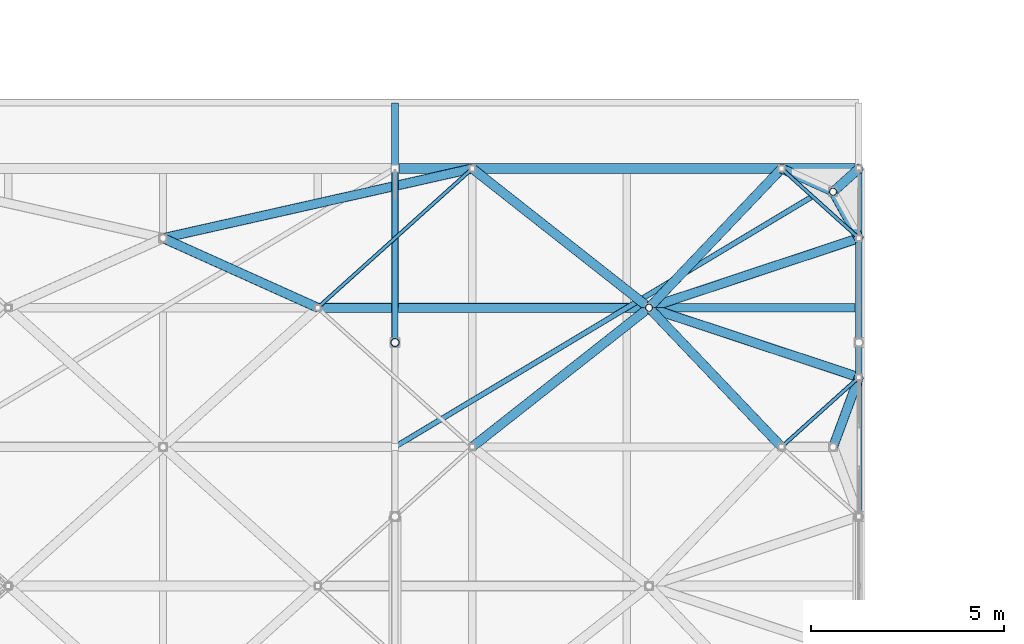
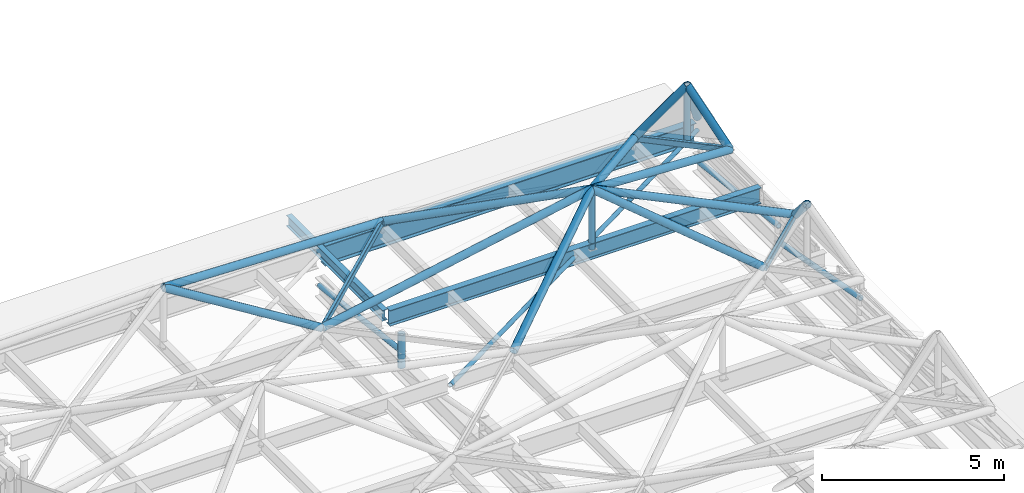
# One storey, part 143 of 239: 20 members, 6 beams.
"""IFC4 building model written with IfcOpenShell, lengths in metres."""

from ifc_helpers import new_model, si_unit, direction, frame, origin, origin_2d, place, context, subcontext, project, spatial, hollow_rectangle, hollow_circle, i_section, extrude, material, material_profile, profile_set, type_object, element, save


model = new_model("IFC4")

# Units and contexts
model_context = context("Model", 3, precision=1e-05, world=origin(), true_north=direction((0.0, 1.0)))
body_context = subcontext(model_context, "Body", "Model", "MODEL_VIEW")
ifc_project = project(units=[si_unit("LENGTHUNIT", "METRE"), si_unit("AREAUNIT", "SQUARE_METRE"), si_unit("VOLUMEUNIT", "CUBIC_METRE"), si_unit("PLANEANGLEUNIT", "RADIAN"), si_unit("MASSUNIT", "GRAM", prefix="KILO")], contexts=[model_context])

# Site, building, storey
site_placement = place(None, origin())
site = spatial("IfcSite", under=ifc_project, at=site_placement, CompositionType="ELEMENT")
building_placement = place(site_placement, origin())
building = spatial("IfcBuilding", under=site, at=building_placement, Name="Dunvalen Ferry Terminal", CompositionType="ELEMENT")
storey_placement = place(building_placement, frame((0.0, 0.0, 9.840087890625)))
storey = spatial("IfcBuildingStorey", under=building, at=storey_placement, Name="L02", CompositionType="ELEMENT", Elevation=9.840087890625)

# Beams
ifc_material = material(Name="Steel S355", Category="steel")
ifc_material_profile_1 = material_profile(ifc_material, i_section(OverallWidth=0.169921875, OverallDepth=0.360107421875, WebThickness=0.008056640625, FlangeThickness=0.0126953125, FilletRadius=0.01806640625, at=origin_2d()), Name="Steel S355")
ifc_profile_set_1 = profile_set([ifc_material_profile_1], Name="Steel S355")
beam_type_1 = type_object("IfcBeamType", Name="STR-BM-IPE360", PredefinedType="BEAM", material=ifc_profile_set_1)
beam_1_placement = place(storey_placement, frame((84.0, 82.800048828125, 0.81982421875), z_axis=(0.0, 1.0, 0.0), x_axis=(-1.0, 0.0, 0.0)))
element("IfcBeam", 1, at=beam_1_placement, inside=storey, type_object=beam_type_1, Name="Departure Hall North Eave Outrigger 13", PredefinedType="BEAM", context=body_context, shape_type="SweptSolid", body=[
    extrude(i_section(OverallWidth=0.169921875, OverallDepth=0.360107421875, WebThickness=0.008056640625, FlangeThickness=0.0126953125, FilletRadius=0.01806640625, at=origin_2d()), origin(), (0.0, 0.0, 1.0), 5.300048828125),
])
ifc_material_profile_2 = material_profile(ifc_material, hollow_rectangle(XDim=0.10009765625, YDim=0.199951171875, WallThickness=0.008056640625, InnerFilletRadius=0.008056640625, OuterFilletRadius=0.01611328125, at=origin_2d()), Name="Steel S355")
ifc_profile_set_2 = profile_set([ifc_material_profile_2], Name="Steel S355")
beam_type_2 = type_object("IfcBeamType", Name="STR-BM-RHS200", PredefinedType="BEAM", material=ifc_profile_set_2)
beam_2_placement = place(storey_placement, frame((82.0, 82.800048828125, 1.099853515625), z_axis=(0.74330768127, 0.668949692402, 0.0), x_axis=(-0.668949692402, 0.74330768127, 0.0)))
element("IfcBeam", 2, at=beam_2_placement, inside=storey, type_object=beam_type_2, Name="HEX-39 Hexagonal Rim Beam 3", PredefinedType="BEAM", context=body_context, shape_type="SweptSolid", body=[
    extrude(hollow_rectangle(XDim=0.10009765625, YDim=0.199951171875, WallThickness=0.008056640625, InnerFilletRadius=0.008056640625, OuterFilletRadius=0.01611328125, at=origin_2d()), origin(), (0.0, 0.0, 1.0), 5.38134765625),
])
for number, where, z_axis, x_axis, name in (
    (3, (94.0, 79.199951171875, 1.099853515625), (0.743285123004, 0.668974757313, 0.0), (-0.668974757313, 0.743285123004, 0.0), "HEX-44 Hexagonal Rim Beam 3"),
    (4, (96.0, 84.60009765625, 1.099853515625), (-0.74333024006, 0.66892462521, 0.0), (-0.66892462521, -0.74333024006, 0.0), "HEX-44 Hexagonal Rim Beam 5"),
):
    element("IfcBeam", number, at=place(storey_placement, frame(where, z_axis=z_axis, x_axis=x_axis)), inside=storey, type_object=beam_type_2, Name=name, PredefinedType="BEAM", context=body_context, shape_type="SweptSolid", body=[
        extrude(hollow_rectangle(XDim=0.10009765625, YDim=0.199951171875, WallThickness=0.008056640625, InnerFilletRadius=0.008056640625, OuterFilletRadius=0.01611328125, at=origin_2d()), origin(), (0.0, 0.0, 1.0), 2.690673828125),
    ])
ifc_material_profile_3 = material_profile(ifc_material, i_section(OverallWidth=0.209228515625, OverallDepth=0.533203125, WebThickness=0.010009765625, FlangeThickness=0.015625, FilletRadius=0.0126953125, at=origin_2d()), Name="Steel S355")
ifc_profile_set_3 = profile_set([ifc_material_profile_3], Name="Steel S355")
beam_type_3 = type_object("IfcBeamType", Name="STR-BM-UKB533", PredefinedType="BEAM", material=ifc_profile_set_3)
beam_3_placement = place(storey_placement, frame((84.10009765625, 82.800048828125, 0.7333984375), z_axis=(1.0, 0.0, 0.0), x_axis=(0.0, 1.0, 0.0)))
element("IfcBeam", 5, at=beam_3_placement, inside=storey, type_object=beam_type_3, Name="Departure Hall Spine Girder B7.10", PredefinedType="BEAM", context=body_context, shape_type="SweptSolid", body=[
    extrude(i_section(OverallWidth=0.209228515625, OverallDepth=0.533203125, WebThickness=0.010009765625, FlangeThickness=0.015625, FilletRadius=0.0126953125, at=origin_2d()), origin(), (0.0, 0.0, 1.0), 11.7998046875),
])
ifc_material_profile_4 = material_profile(ifc_material, i_section(OverallWidth=0.253662109375, OverallDepth=0.68359375, WebThickness=0.012451171875, FlangeThickness=0.01904296875, FilletRadius=0.01513671875, at=origin_2d()), Name="Steel S355")
ifc_profile_set_4 = profile_set([ifc_material_profile_4], Name="Steel S355")
beam_type_4 = type_object("IfcBeamType", Name="STR-BM-UKB686", PredefinedType="BEAM", material=ifc_profile_set_4)
beam_4_placement = place(storey_placement, frame((84.10009765625, 86.39990234375, 0.658203125), z_axis=(1.0, 0.0, 0.0), x_axis=(0.0, 1.0, 0.0)))
element("IfcBeam", 6, at=beam_4_placement, inside=storey, type_object=beam_type_4, Name="Departure Hall Spine Girder B7.11", PredefinedType="BEAM", context=body_context, shape_type="SweptSolid", body=[
    extrude(i_section(OverallWidth=0.253662109375, OverallDepth=0.68359375, WebThickness=0.012451171875, FlangeThickness=0.01904296875, FilletRadius=0.01513671875, at=origin_2d()), origin(), (0.0, 0.0, 1.0), 11.7998046875),
])

# Members
ifc_material_profile_5 = material_profile(ifc_material, hollow_circle(Radius=0.06982421875, WallThickness=0.00634765625, at=origin_2d()), Name="Steel S355")
ifc_profile_set_5 = profile_set([ifc_material_profile_5], Name="Steel S355")
member_type_1 = type_object("IfcMemberType", Name="STR-MB-CHS139", PredefinedType="BRACE", material=ifc_profile_set_5)
member_1_placement = place(storey_placement, frame((84.0, 79.199951171875, 0.659912109375), z_axis=(0.857494465041, 0.514493189871, 0.0), x_axis=(-0.514493189871, 0.857494465041, 0.0)))
element("IfcMember", 7, at=member_1_placement, inside=storey, type_object=member_type_1, Name="Departure Hall Roof Wind Brace 7A", PredefinedType="BRACE", context=body_context, shape_type="SweptSolid", body=[
    extrude(hollow_circle(Radius=0.06982421875, WallThickness=0.00634765625, at=origin_2d()), origin(), (0.0, 0.0, 1.0), 13.994140625),
])
ifc_material_profile_6 = material_profile(ifc_material, hollow_circle(Radius=0.084228515625, WallThickness=0.008056640625, at=origin_2d()), Name="Steel S355")
ifc_profile_set_6 = profile_set([ifc_material_profile_6], Name="Steel S355")
member_type_2 = type_object("IfcMemberType", Name="STR-MB-CHS168", PredefinedType="BRACE", material=ifc_profile_set_6)
member_2_placement = place(storey_placement, frame((84.0, 81.89990234375, 0.168701171875), z_axis=(0.0, 0.993166043245, -0.116709941931), x_axis=(-1.0, 0.0, 0.0)))
element("IfcMember", 8, at=member_2_placement, inside=storey, type_object=member_type_2, Name="Departure Hall Arch Web Diagonal 07.8", PredefinedType="BRACE", context=body_context, shape_type="SweptSolid", body=[
    extrude(hollow_circle(Radius=0.084228515625, WallThickness=0.008056640625, at=origin_2d()), origin(), (0.0, 0.0, 1.0), 4.531005859375),
])
member_3_placement = place(storey_placement, frame((96.0, 77.39990234375, 0.474853515625), z_axis=(0.0, 0.983218272848, -0.18243307797), x_axis=(-1.0, 0.0, 0.0)))
element("IfcMember", 9, at=member_3_placement, inside=storey, type_object=member_type_2, Name="Departure Hall Arch Web Diagonal 08.7", PredefinedType="BRACE", context=body_context, shape_type="SweptSolid", body=[
    extrude(hollow_circle(Radius=0.084228515625, WallThickness=0.008056640625, at=origin_2d()), origin(), (0.0, 0.0, 1.0), 4.576904296875),
])
member_4_placement = place(storey_placement, frame((96.0, 81.89990234375, 0.168701171875), z_axis=(0.0, 0.993166043245, -0.116709941931), x_axis=(-1.0, 0.0, 0.0)))
element("IfcMember", 10, at=member_4_placement, inside=storey, type_object=member_type_2, Name="Departure Hall Arch Web Diagonal 08.8", PredefinedType="BRACE", context=body_context, shape_type="SweptSolid", body=[
    extrude(hollow_circle(Radius=0.084228515625, WallThickness=0.008056640625, at=origin_2d()), origin(), (0.0, 0.0, 1.0), 4.531005859375),
])
ifc_material_profile_7 = material_profile(ifc_material, hollow_circle(Radius=0.096923828125, WallThickness=0.008056640625, at=origin_2d()), Name="Steel S355")
ifc_profile_set_7 = profile_set([ifc_material_profile_7], Name="Steel S355")
member_type_3 = type_object("IfcMemberType", Name="STR-MB-CHS193", PredefinedType="STRUT", material=ifc_profile_set_7)
for number, where, z_axis, x_axis, name in (
    (11, (90.5712890625, 82.800048828125, 0.77001953125), (0.0, 0.0, 1.0), (1.0, 0.0, 0.0), "HEX-44 Pyramid Apex Strut"),
    (12, (95.333251953125, 85.800048828125, 0.77001953125), (0.0, 0.0, 1.0), (1.0, 0.0, 0.0), "HEX-50 Pyramid Apex Strut"),
):
    element("IfcMember", number, at=place(storey_placement, frame(where, z_axis=z_axis, x_axis=x_axis)), inside=storey, type_object=member_type_3, Name=name, PredefinedType="STRUT", context=body_context, shape_type="SweptSolid", body=[
        extrude(hollow_circle(Radius=0.096923828125, WallThickness=0.008056640625, at=origin_2d()), origin(), (0.0, 0.0, 1.0), 1.994873046875),
    ])
ifc_material_profile_8 = material_profile(ifc_material, hollow_circle(Radius=0.109619140625, WallThickness=0.010009765625, at=origin_2d()), Name="Steel S355")
ifc_profile_set_8 = profile_set([ifc_material_profile_8], Name="Steel S355")
member_type_4 = type_object("IfcMemberType", Name="STR-MB-CHS219", PredefinedType="STRUT", material=ifc_profile_set_8)
member_5_placement = place(storey_placement, frame((84.0, 81.89990234375, -0.360107421875), z_axis=(0.0, 0.0, 1.0), x_axis=(1.0, 0.0, 0.0)))
element("IfcMember", 13, at=member_5_placement, inside=storey, type_object=member_type_4, Name="Departure Hall Arch Spandrel Strut 07.7", PredefinedType="STRUT", context=body_context, shape_type="SweptSolid", body=[
    extrude(hollow_circle(Radius=0.109619140625, WallThickness=0.010009765625, at=origin_2d()), origin(), (0.0, 0.0, 1.0), 1.130126953125),
])
ifc_material_profile_9 = material_profile(ifc_material, hollow_circle(Radius=0.122314453125, WallThickness=0.010009765625, at=origin_2d()), Name="Steel S355")
ifc_profile_set_9 = profile_set([ifc_material_profile_9], Name="Steel S355")
member_type_5 = type_object("IfcMemberType", Name="STR-MB-CHS244", PredefinedType="STRUT", material=ifc_profile_set_9)
member_6_placement = place(storey_placement, frame((82.0, 82.800048828125, 1.099853515625), z_axis=(-0.852560097395, 0.383662451056, 0.354886466323), x_axis=(-0.410373934525, -0.91191733938, 0.0)))
element("IfcMember", 14, at=member_6_placement, inside=storey, type_object=member_type_5, Name="HEX-39 Pyramid Hip Rafter 3", PredefinedType="STRUT", context=body_context, shape_type="SweptSolid", body=[
    extrude(hollow_circle(Radius=0.122314453125, WallThickness=0.010009765625, at=origin_2d()), origin(), (0.0, 0.0, 1.0), 4.691650390625),
])
member_7_placement = place(storey_placement, frame((86.0, 86.39990234375, 1.099853515625), z_axis=(-0.956103315715, -0.21509990367, 0.198993671056), x_axis=(0.21948952406, -0.97561485681, 0.0)))
element("IfcMember", 15, at=member_7_placement, inside=storey, type_object=member_type_5, Name="HEX-39 Pyramid Hip Rafter 4", PredefinedType="STRUT", context=body_context, shape_type="SweptSolid", body=[
    extrude(hollow_circle(Radius=0.122314453125, WallThickness=0.010009765625, at=origin_2d()), origin(), (0.0, 0.0, 1.0), 8.3671875),
])
member_8_placement = place(storey_placement, frame((82.0, 82.800048828125, 1.099853515625), z_axis=(0.981649716778, 0.0, 0.190693034876), x_axis=(0.0, 1.0, 0.0)))
element("IfcMember", 16, at=member_8_placement, inside=storey, type_object=member_type_5, Name="HEX-44 Pyramid Hip Rafter 1", PredefinedType="STRUT", context=body_context, shape_type="SweptSolid", body=[
    extrude(hollow_circle(Radius=0.122314453125, WallThickness=0.010009765625, at=origin_2d()), origin(), (0.0, 0.0, 1.0), 8.7314453125),
])
member_9_placement = place(storey_placement, frame((86.0, 79.199951171875, 1.099853515625), z_axis=(0.755303948682, 0.594836147579, 0.275110709785), x_axis=(-0.61871061037, 0.785618979287, 0.0)))
element("IfcMember", 17, at=member_9_placement, inside=storey, type_object=member_type_5, Name="HEX-44 Pyramid Hip Rafter 2", PredefinedType="STRUT", context=body_context, shape_type="SweptSolid", body=[
    extrude(hollow_circle(Radius=0.122314453125, WallThickness=0.010009765625, at=origin_2d()), origin(), (0.0, 0.0, 1.0), 6.05224609375),
])
member_10_placement = place(storey_placement, frame((94.0, 79.199951171875, 1.099853515625), z_axis=(-0.653958936196, 0.686647570005, 0.317573337002), x_axis=(-0.724133259713, -0.689660077269, 0.0)))
element("IfcMember", 18, at=member_10_placement, inside=storey, type_object=member_type_5, Name="HEX-44 Pyramid Hip Rafter 3", PredefinedType="STRUT", context=body_context, shape_type="SweptSolid", body=[
    extrude(hollow_circle(Radius=0.122314453125, WallThickness=0.010009765625, at=origin_2d()), origin(), (0.0, 0.0, 1.0), 5.242919921875),
])
for number, where, z_axis, x_axis, name in (
    (19, (96.0, 81.0, 1.099853515625), (-0.911347276527, 0.302184002061, 0.279519177276), (-0.314729068317, -0.949181549313, 0.0), "HEX-44 Pyramid Hip Rafter 4"),
    (20, (96.0, 84.60009765625, 1.099853515625), (-0.911347276527, -0.302184002061, 0.279519177276), (0.314729068317, -0.949181549313, 0.0), "HEX-44 Pyramid Hip Rafter 5"),
):
    element("IfcMember", number, at=place(storey_placement, frame(where, z_axis=z_axis, x_axis=x_axis)), inside=storey, type_object=member_type_5, Name=name, PredefinedType="STRUT", context=body_context, shape_type="SweptSolid", body=[
        extrude(hollow_circle(Radius=0.122314453125, WallThickness=0.010009765625, at=origin_2d()), origin(), (0.0, 0.0, 1.0), 5.956787109375),
    ])
member_11_placement = place(storey_placement, frame((94.0, 86.39990234375, 1.099853515625), z_axis=(-0.653979846008, -0.686622958516, 0.317583491155), x_axis=(0.724109901608, -0.689684602114, 0.0)))
element("IfcMember", 21, at=member_11_placement, inside=storey, type_object=member_type_5, Name="HEX-44 Pyramid Hip Rafter 6", PredefinedType="STRUT", context=body_context, shape_type="SweptSolid", body=[
    extrude(hollow_circle(Radius=0.122314453125, WallThickness=0.010009765625, at=origin_2d()), origin(), (0.0, 0.0, 1.0), 5.242919921875),
])
member_12_placement = place(storey_placement, frame((86.0, 86.39990234375, 1.099853515625), z_axis=(0.755322072227, -0.594810080911, 0.275117311076), x_axis=(0.618684713088, 0.78563937388, 0.0)))
element("IfcMember", 22, at=member_12_placement, inside=storey, type_object=member_type_5, Name="HEX-44 Pyramid Hip Rafter 7", PredefinedType="STRUT", context=body_context, shape_type="SweptSolid", body=[
    extrude(hollow_circle(Radius=0.122314453125, WallThickness=0.010009765625, at=origin_2d()), origin(), (0.0, 0.0, 1.0), 6.052001953125),
])
member_13_placement = place(storey_placement, frame((96.0, 81.0, 1.099853515625), z_axis=(-0.262387740737, -0.708379645717, 0.65524877035), x_axis=(0.937738020856, -0.34734335209, 0.0)))
element("IfcMember", 23, at=member_13_placement, inside=storey, type_object=member_type_5, Name="HEX-49 Pyramid Hip Rafter 1", PredefinedType="STRUT", context=body_context, shape_type="SweptSolid", body=[
    extrude(hollow_circle(Radius=0.122314453125, WallThickness=0.010009765625, at=origin_2d()), origin(), (0.0, 0.0, 1.0), 2.541015625),
])
member_14_placement = place(storey_placement, frame((96.0, 86.39990234375, 1.099853515625), z_axis=(-0.352548227225, -0.31717722237, 0.880402383624), x_axis=(0.668829365591, -0.743415953369, 0.0)))
element("IfcMember", 24, at=member_14_placement, inside=storey, type_object=member_type_5, Name="HEX-50 Pyramid Hip Rafter 1", PredefinedType="STRUT", context=body_context, shape_type="SweptSolid", body=[
    extrude(hollow_circle(Radius=0.122314453125, WallThickness=0.010009765625, at=origin_2d()), origin(), (0.0, 0.0, 1.0), 1.89111328125),
])
member_15_placement = place(storey_placement, frame((94.0, 86.39990234375, 1.099853515625), z_axis=(0.601704109241, -0.270717267241, 0.751441498814), x_axis=(0.410302184124, 0.911949624542, 0.0)))
element("IfcMember", 25, at=member_15_placement, inside=storey, type_object=member_type_5, Name="HEX-50 Pyramid Hip Rafter 2", PredefinedType="STRUT", context=body_context, shape_type="SweptSolid", body=[
    extrude(hollow_circle(Radius=0.122314453125, WallThickness=0.010009765625, at=origin_2d()), origin(), (0.0, 0.0, 1.0), 2.2158203125),
])
member_16_placement = place(storey_placement, frame((96.0, 84.60009765625, 1.099853515625), z_axis=(-0.308971474595, 0.556058146333, 0.771580174566), x_axis=(-0.874123717778, -0.485703331282, 0.0)))
element("IfcMember", 26, at=member_16_placement, inside=storey, type_object=member_type_5, Name="HEX-50 Pyramid Hip Rafter 3", PredefinedType="STRUT", context=body_context, shape_type="SweptSolid", body=[
    extrude(hollow_circle(Radius=0.122314453125, WallThickness=0.010009765625, at=origin_2d()), origin(), (0.0, 0.0, 1.0), 2.157958984375),
])

save(model, "model.ifc")
